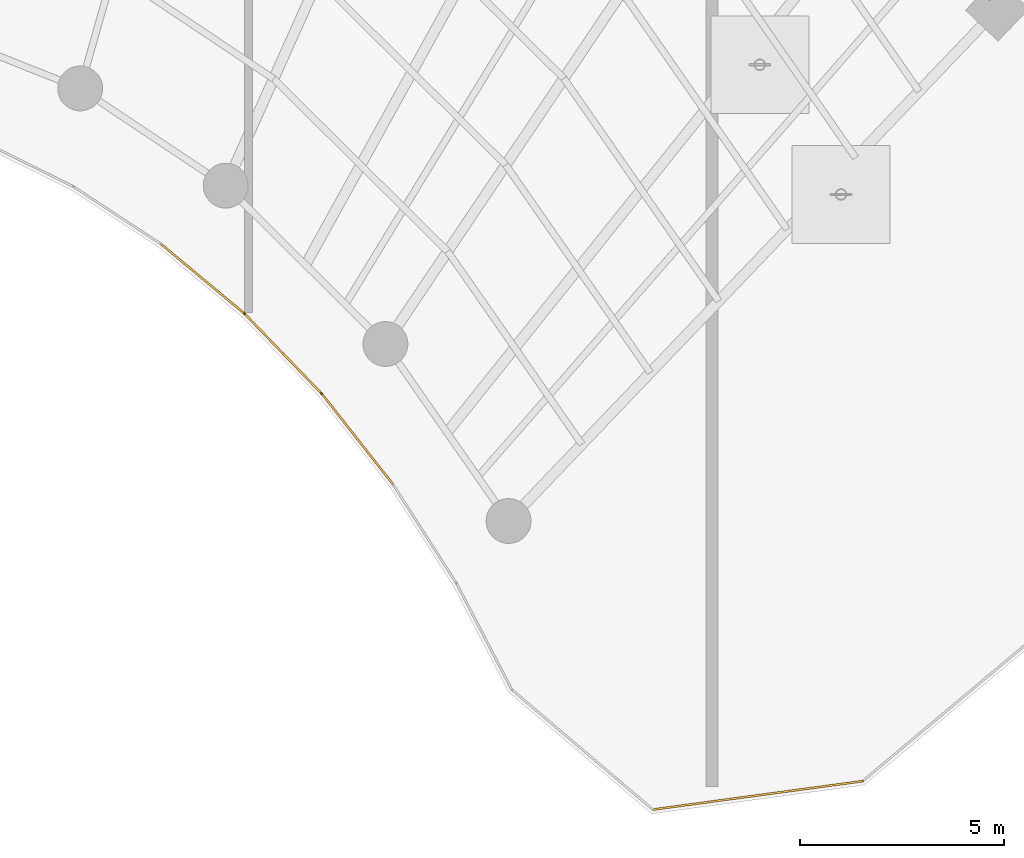
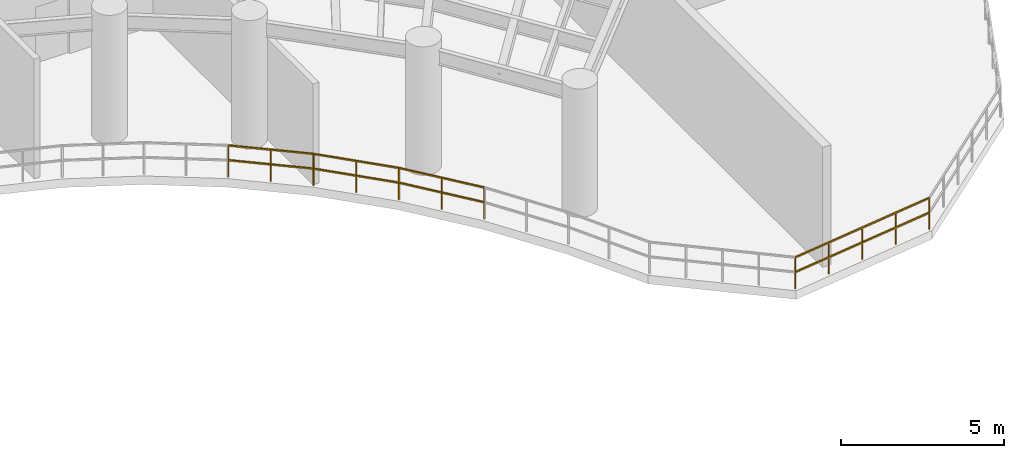
# One storey, part 19 of 24: 6 railings.
"""IFC4 building model written with IfcOpenShell, lengths in metres."""

from ifc_helpers import new_model, si_unit, direction, frame, origin, origin_2d, place, context, subcontext, project, spatial, rectangle, extrude, material, type_object, element, save


model = new_model("IFC4")

# Units and contexts
model_context = context("Model", 3, precision=1e-05, world=origin(), true_north=direction((0.0, 1.0)))
body_context = subcontext(model_context, "Body", "Model", "MODEL_VIEW")
ifc_project = project(units=[si_unit("LENGTHUNIT", "METRE"), si_unit("AREAUNIT", "SQUARE_METRE"), si_unit("VOLUMEUNIT", "CUBIC_METRE"), si_unit("PLANEANGLEUNIT", "RADIAN"), si_unit("MASSUNIT", "GRAM", prefix="KILO")], contexts=[model_context])

# Site, building, storey
site_placement = place(None, origin())
site = spatial("IfcSite", under=ifc_project, at=site_placement, CompositionType="ELEMENT")
building_placement = place(site_placement, origin())
building = spatial("IfcBuilding", under=site, at=building_placement, Name="Breltana Convention Tower", CompositionType="ELEMENT")
storey_placement = place(building_placement, frame((0.0, 0.0, 189.60009765625)))
storey = spatial("IfcBuildingStorey", under=building, at=storey_placement, Name="L46", CompositionType="ELEMENT", Elevation=189.60009765625)

# Railings
ifc_material = material(Name="Stainless Steel 316L", Category="steel")
railing_type = type_object("IfcRailingType", Name="RL-WIND-GUARD-1200", PredefinedType="BALUSTRADE", material=ifc_material)
railing_1_placement = place(storey_placement, frame((76.691650390625, 36.57861328125, 0.0)))
element("IfcRailing", 1, at=railing_1_placement, inside=storey, type_object=railing_type, Name="L46 perimeter balustrade 4", PredefinedType="BALUSTRADE", context=body_context, shape_type="SweptSolid", body=[
    extrude(rectangle(XDim=0.048095703125, YDim=0.048095703125, at=origin_2d()), frame((0.0, 0.0, 1.17578125), z_axis=(-0.990929007422, -0.134386391611, 0.0), x_axis=(0.134386391611, -0.990929007422, 0.0)), (0.0, 0.0, 1.0), 5.186767578125),
    extrude(rectangle(XDim=0.048095703125, YDim=0.048095703125, at=origin_2d()), frame((0.0, 0.0, 0.6240234375), z_axis=(-0.990929007422, -0.134386391611, 0.0), x_axis=(0.134386391611, -0.990929007422, 0.0)), (0.0, 0.0, 1.0), 5.186767578125),
    extrude(rectangle(XDim=0.0419921875, YDim=0.0419921875, at=origin_2d()), origin(), (0.0, 0.0, 1.0), 1.15185546875),
    extrude(rectangle(XDim=0.0419921875, YDim=0.0419921875, at=origin_2d()), frame((-1.284912109375, -0.17431640625, 0.0)), (0.0, 0.0, 1.0), 1.15185546875),
    extrude(rectangle(XDim=0.0419921875, YDim=0.0419921875, at=origin_2d()), frame((-2.56982421875, -0.3486328125, 0.0)), (0.0, 0.0, 1.0), 1.15185546875),
    extrude(rectangle(XDim=0.0419921875, YDim=0.0419921875, at=origin_2d()), frame((-3.854736328125, -0.522705078125, 0.0)), (0.0, 0.0, 1.0), 1.15185546875),
    extrude(rectangle(XDim=0.0419921875, YDim=0.0419921875, at=origin_2d()), frame((-5.1396484375, -0.697021484375, 0.0)), (0.0, 0.0, 1.0), 1.15185546875),
])
railing_2_placement = place(storey_placement, frame((65.169189453125, 43.870361328125, 0.0)))
element("IfcRailing", 2, at=railing_2_placement, inside=storey, type_object=railing_type, Name="L46 perimeter balustrade 10", PredefinedType="BALUSTRADE", context=body_context, shape_type="SweptSolid", body=[
    extrude(rectangle(XDim=0.048095703125, YDim=0.048095703125, at=origin_2d()), frame((0.0, 0.0, 1.17578125), z_axis=(-0.618160104834, 0.786052215054, 0.0), x_axis=(-0.786052215054, -0.618160104834, 0.0)), (0.0, 0.0, 1.0), 2.80224609375),
    extrude(rectangle(XDim=0.048095703125, YDim=0.048095703125, at=origin_2d()), frame((0.0, 0.0, 0.6240234375), z_axis=(-0.618160104834, 0.786052215054, 0.0), x_axis=(-0.786052215054, -0.618160104834, 0.0)), (0.0, 0.0, 1.0), 2.80224609375),
    extrude(rectangle(XDim=0.0419921875, YDim=0.0419921875, at=origin_2d()), origin(), (0.0, 0.0, 1.0), 1.15185546875),
    extrude(rectangle(XDim=0.0419921875, YDim=0.0419921875, at=origin_2d()), frame((-0.8662109375, 1.101318359375, 0.0)), (0.0, 0.0, 1.0), 1.15185546875),
    extrude(rectangle(XDim=0.0419921875, YDim=0.0419921875, at=origin_2d()), frame((-1.732177734375, 2.20263671875, 0.0)), (0.0, 0.0, 1.0), 1.15185546875),
])
railing_3_placement = place(storey_placement, frame((63.43701171875, 46.072998046875, 0.0)))
element("IfcRailing", 3, at=railing_3_placement, inside=storey, type_object=railing_type, Name="L46 perimeter balustrade 11", PredefinedType="BALUSTRADE", context=body_context, shape_type="SweptSolid", body=[
    extrude(rectangle(XDim=0.048095703125, YDim=0.048095703125, at=origin_2d()), frame((0.0, 0.0, 1.17578125), z_axis=(-0.658504607869, 0.752576694707, 0.0), x_axis=(-0.752576694707, -0.658504607869, 0.0)), (0.0, 0.0, 1.0), 0.010498046875),
    extrude(rectangle(XDim=0.048095703125, YDim=0.048095703125, at=origin_2d()), frame((0.0, 0.0, 0.6240234375), z_axis=(-0.658504607869, 0.752576694707, 0.0), x_axis=(-0.752576694707, -0.658504607869, 0.0)), (0.0, 0.0, 1.0), 0.010498046875),
    extrude(rectangle(XDim=0.0419921875, YDim=0.0419921875, at=origin_2d()), origin(), (0.0, 0.0, 1.0), 1.15185546875),
    extrude(rectangle(XDim=0.0419921875, YDim=0.0419921875, at=origin_2d()), frame((-0.0068359375, 0.0078125, 0.0)), (0.0, 0.0, 1.0), 1.15185546875),
])
railing_4_placement = place(storey_placement, frame((63.43017578125, 46.080810546875, 0.0)))
element("IfcRailing", 4, at=railing_4_placement, inside=storey, type_object=railing_type, Name="L46 perimeter balustrade 12", PredefinedType="BALUSTRADE", context=body_context, shape_type="SweptSolid", body=[
    extrude(rectangle(XDim=0.048095703125, YDim=0.048095703125, at=origin_2d()), frame((0.0, 0.0, 1.17578125), z_axis=(-0.694612133042, 0.719384448421, 0.0), x_axis=(-0.719384448421, -0.694612133042, 0.0)), (0.0, 0.0, 1.0), 2.719970703125),
    extrude(rectangle(XDim=0.048095703125, YDim=0.048095703125, at=origin_2d()), frame((0.0, 0.0, 0.6240234375), z_axis=(-0.694612133042, 0.719384448421, 0.0), x_axis=(-0.719384448421, -0.694612133042, 0.0)), (0.0, 0.0, 1.0), 2.719970703125),
    extrude(rectangle(XDim=0.0419921875, YDim=0.0419921875, at=origin_2d()), origin(), (0.0, 0.0, 1.0), 1.15185546875),
    extrude(rectangle(XDim=0.0419921875, YDim=0.0419921875, at=origin_2d()), frame((-0.94482421875, 0.978515625, 0.0)), (0.0, 0.0, 1.0), 1.15185546875),
    extrude(rectangle(XDim=0.0419921875, YDim=0.0419921875, at=origin_2d()), frame((-1.889404296875, 1.956787109375, 0.0)), (0.0, 0.0, 1.0), 1.15185546875),
])
railing_5_placement = place(storey_placement, frame((61.540771484375, 48.03759765625, 0.0)))
element("IfcRailing", 5, at=railing_5_placement, inside=storey, type_object=railing_type, Name="L46 perimeter balustrade 13", PredefinedType="BALUSTRADE", context=body_context, shape_type="SweptSolid", body=[
    extrude(rectangle(XDim=0.048095703125, YDim=0.048095703125, at=origin_2d()), frame((0.0, 0.0, 1.17578125), z_axis=(-0.72953720414, 0.683941128881, 0.0), x_axis=(-0.683941128881, -0.72953720414, 0.0)), (0.0, 0.0, 1.0), 0.0107421875),
    extrude(rectangle(XDim=0.048095703125, YDim=0.048095703125, at=origin_2d()), frame((0.0, 0.0, 0.6240234375), z_axis=(-0.72953720414, 0.683941128881, 0.0), x_axis=(-0.683941128881, -0.72953720414, 0.0)), (0.0, 0.0, 1.0), 0.0107421875),
    extrude(rectangle(XDim=0.0419921875, YDim=0.0419921875, at=origin_2d()), origin(), (0.0, 0.0, 1.0), 1.15185546875),
    extrude(rectangle(XDim=0.0419921875, YDim=0.0419921875, at=origin_2d()), frame((-0.0078125, 0.00732421875, 0.0)), (0.0, 0.0, 1.0), 1.15185546875),
])
railing_6_placement = place(storey_placement, frame((61.532958984375, 48.044921875, 0.0)))
element("IfcRailing", 6, at=railing_6_placement, inside=storey, type_object=railing_type, Name="L46 perimeter balustrade 14", PredefinedType="BALUSTRADE", context=body_context, shape_type="SweptSolid", body=[
    extrude(rectangle(XDim=0.048095703125, YDim=0.048095703125, at=origin_2d()), frame((0.0, 0.0, 1.17578125), z_axis=(-0.76794831999, 0.640511809278, 0.0), x_axis=(-0.640511809278, -0.76794831999, 0.0)), (0.0, 0.0, 1.0), 2.639892578125),
    extrude(rectangle(XDim=0.048095703125, YDim=0.048095703125, at=origin_2d()), frame((0.0, 0.0, 0.6240234375), z_axis=(-0.76794831999, 0.640511809278, 0.0), x_axis=(-0.640511809278, -0.76794831999, 0.0)), (0.0, 0.0, 1.0), 2.639892578125),
    extrude(rectangle(XDim=0.0419921875, YDim=0.0419921875, at=origin_2d()), origin(), (0.0, 0.0, 1.0), 1.15185546875),
    extrude(rectangle(XDim=0.0419921875, YDim=0.0419921875, at=origin_2d()), frame((-1.013671875, 0.845458984375, 0.0)), (0.0, 0.0, 1.0), 1.15185546875),
    extrude(rectangle(XDim=0.0419921875, YDim=0.0419921875, at=origin_2d()), frame((-2.02734375, 1.69091796875, 0.0)), (0.0, 0.0, 1.0), 1.15185546875),
])

save(model, "model.ifc")
